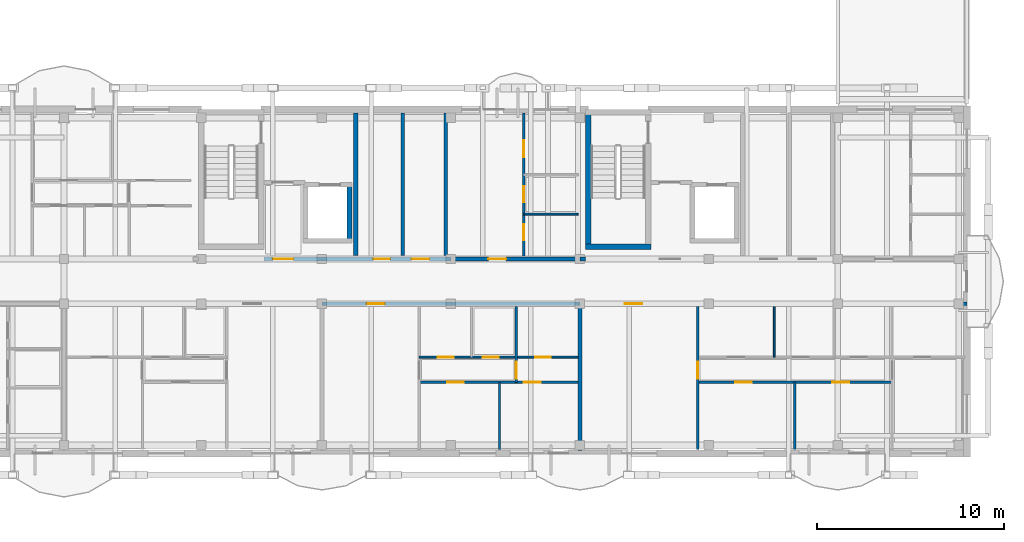
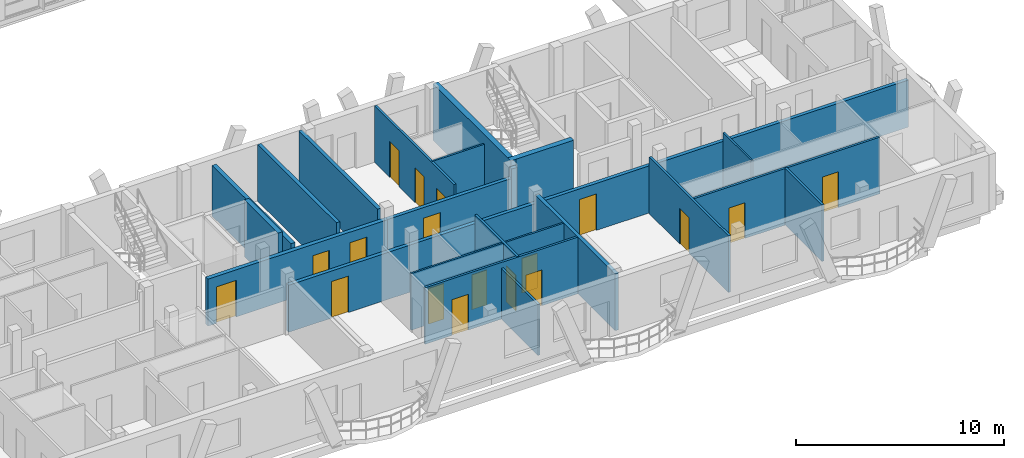
# One storey, part 160 of 189: 22 walls, 18 doors, 18 openings.
"""IFC4 building model written with IfcOpenShell, lengths in metres."""

import ifcopenshell
import ifcopenshell.guid

model = None  # the IFC model being written
_history = None  # IfcOwnerHistory: only IFC2X3 demands one
_inside = {}  # id of a spatial element -> (the spatial element, [elements in it])
_under = {}  # id of a project, library or spatial element -> (it, [spatial elements below it])
_declared = {}  # id of a project -> (the project, [libraries it declares])
_typed = {}  # id of a type object -> (the type object, [elements of that type])
_made_of = {}  # id of a material, layer set ... -> (it, [elements and type objects made of it])


def new_model(schema):
    """Start an empty IFC model of exactly this schema.

    Asked for "IFC4X3", IfcOpenShell would pick the latest addendum, in which some entities
    have other attributes; the version numbers below select the first issue.
    IFC2X3 requires an IfcOwnerHistory on every rooted entity: one is made here for all.
    """
    global model, _history
    if schema == "IFC4X3":
        model = ifcopenshell.file(schema_version=(4, 3, 0, 0))
    else:
        model = ifcopenshell.file(schema=schema)
    _inside.clear()
    _under.clear()
    _declared.clear()
    _typed.clear()
    _made_of.clear()
    _history = None
    if model.schema == "IFC2X3":
        org = make("IfcOrganization", Name="unknown")
        user = make(
            "IfcPersonAndOrganization",
            ThePerson=make("IfcPerson", FamilyName="unknown"),
            TheOrganization=org,
        )
        app = make(
            "IfcApplication",
            ApplicationDeveloper=org,
            Version="unknown",
            ApplicationFullName="unknown",
            ApplicationIdentifier="unknown",
        )
        _history = make(
            "IfcOwnerHistory",
            OwningUser=user,
            OwningApplication=app,
            ChangeAction="ADDED",
            CreationDate=0,
        )
    return model


def make(cls, **values):
    """One entity of the class cls with the attributes given. An attribute that is None is left unset."""
    return model.create_entity(
        cls, **{name: value for name, value in values.items() if value is not None}
    )


def rooted(cls, **values):
    """An entity with a GlobalId (a new one), such as an element, a storey or a relation."""
    return make(cls, GlobalId=ifcopenshell.guid.new(), OwnerHistory=_history, **values)


def si_unit(unit_type, name, prefix=None):
    """IfcSIUnit, for example si_unit("LENGTHUNIT", "METRE", prefix="MILLI")."""
    return make("IfcSIUnit", UnitType=unit_type, Prefix=prefix, Name=name)


def assignment(units):
    """IfcUnitAssignment: the units of a project."""
    return None if units is None else make("IfcUnitAssignment", Units=units)


def point(xyz):
    """IfcCartesianPoint."""
    return None if xyz is None else make("IfcCartesianPoint", Coordinates=xyz)


def direction(xyz):
    """IfcDirection."""
    return None if xyz is None else make("IfcDirection", DirectionRatios=xyz)


def frame(location, z_axis=None, x_axis=None):
    """IfcAxis2Placement3D, a coordinate frame: its origin and axes. An axis left out is left unset."""
    return make(
        "IfcAxis2Placement3D",
        Location=point(location),
        Axis=direction(z_axis),
        RefDirection=direction(x_axis),
    )


def frame_2d(location, x_axis=None):
    """IfcAxis2Placement2D, a coordinate frame in the plane: its origin and x axis."""
    return make(
        "IfcAxis2Placement2D", Location=point(location), RefDirection=direction(x_axis)
    )


def origin():
    """The frame at (0, 0, 0) with its axes left unset."""
    return frame((0.0, 0.0, 0.0))


def origin_with_axes():
    """The frame at (0, 0, 0) with the z axis (0, 0, 1) and the x axis (1, 0, 0) written out."""
    return frame((0.0, 0.0, 0.0), z_axis=(0.0, 0.0, 1.0), x_axis=(1.0, 0.0, 0.0))


def place(relative_to, where):
    """IfcLocalPlacement: puts the frame where relative to a parent placement (None: the world)."""
    return make(
        "IfcLocalPlacement", PlacementRelTo=relative_to, RelativePlacement=where
    )


def context(
    kind, dimensions, precision=None, world=None, true_north=None, identifier=None
):
    """IfcGeometricRepresentationContext, for example the 3D "Model" context."""
    return make(
        "IfcGeometricRepresentationContext",
        ContextIdentifier=identifier,
        ContextType=kind,
        CoordinateSpaceDimension=dimensions,
        Precision=precision,
        WorldCoordinateSystem=world,
        TrueNorth=true_north,
    )


def subcontext(parent, identifier, kind, view, scale=None):
    """IfcGeometricRepresentationSubContext, for example "Body" below "Model"."""
    return make(
        "IfcGeometricRepresentationSubContext",
        ContextIdentifier=identifier,
        ContextType=kind,
        ParentContext=parent,
        TargetScale=scale,
        TargetView=view,
    )


def project(units=None, contexts=None):
    """IfcProject with its units and contexts."""
    return rooted(
        "IfcProject",
        Name="project",
        RepresentationContexts=contexts,
        UnitsInContext=assignment(units),
    )


def spatial(cls, under=None, at=None, **own):
    """A site, building, storey or space (cls), placed at a placement, below another one or the project."""
    s = rooted(cls, ObjectPlacement=at, **own)
    if under is not None:
        _under.setdefault(under.id(), (under, []))[1].append(s)
    return s


def profile(cls, at=None, kind="AREA", **sizes):
    """A parametric profile (cls). Its sizes go by their IFC names, for example OverallWidth=200.0."""
    return make(cls, ProfileType=kind, Position=at, **sizes)


def rectangle(**sizes):
    """IfcRectangleProfileDef."""
    return profile("IfcRectangleProfileDef", **sizes)


def extrude(swept, where, along, depth):
    """IfcExtrudedAreaSolid: the profile swept, set in the frame where, extruded along a direction by depth."""
    return make(
        "IfcExtrudedAreaSolid",
        SweptArea=swept,
        Position=where,
        ExtrudedDirection=direction(along),
        Depth=depth,
    )


def shape(context_of_items, identifier, shape_type, items):
    """IfcShapeRepresentation: the items that make up one representation, for example the "Body"."""
    return make(
        "IfcShapeRepresentation",
        ContextOfItems=context_of_items,
        RepresentationIdentifier=identifier,
        RepresentationType=shape_type,
        Items=items,
    )


def material(Name=None, Category=None):
    """IfcMaterial."""
    return make("IfcMaterial", Name=Name, Category=Category)


def layer(
    of_material, thickness, ventilated=None, Name=None, Category=None, Priority=None
):
    """IfcMaterialLayer: one layer of a wall or slab, of a material (None: an air gap)."""
    return make(
        "IfcMaterialLayer",
        Material=of_material,
        LayerThickness=thickness,
        IsVentilated=ventilated,
        Name=Name,
        Category=Category,
        Priority=Priority,
    )


def layer_set(layers, Name=None):
    """IfcMaterialLayerSet."""
    return make("IfcMaterialLayerSet", MaterialLayers=layers, LayerSetName=Name)


def made_of(thing, what):
    """Note that an element or type object is made of a material, layer set ...; save() writes the relation."""
    if what is not None:
        _made_of.setdefault(what.id(), (what, []))[1].append(thing)
    return thing


def type_object(cls, material=None, **own):
    """A type object (cls), such as IfcWallType, which elements share."""
    return made_of(rooted(cls, **own), material)


def element(
    cls,
    number,
    at=None,
    inside=None,
    cuts=None,
    type_object=None,
    material=None,
    context=None,
    identifier="Body",
    shape_type=None,
    held_by="IfcProductDefinitionShape",
    body=None,
    shapes=None,
    **own,
):
    """One element of the class cls, such as IfcWall. Its Tag is "e" and its number.

    at: its placement. inside: the storey or other place that contains it. cuts: it is an
    opening in that element (IfcRelVoidsElement). A single representation is given by context,
    identifier, shape_type and body (its items); several are given by shapes. held_by: the class
    of the entity that holds the representations. save() writes the other relations.
    """
    e = rooted(cls, Tag="e%d" % number, ObjectPlacement=at, **own)
    if body is not None:
        shapes = [shape(context, identifier, shape_type, body)]
    if shapes is not None:
        e.Representation = make(held_by, Representations=shapes)
    if inside is not None:
        _inside.setdefault(inside.id(), (inside, []))[1].append(e)
    if cuts is not None:
        rooted(
            "IfcRelVoidsElement", RelatingBuildingElement=cuts, RelatedOpeningElement=e
        )
    if type_object is not None:
        _typed.setdefault(type_object.id(), (type_object, []))[1].append(e)
    return made_of(e, material)


def fill(opening, filler):
    """IfcRelFillsElement: the door or window that sits in an opening."""
    return rooted(
        "IfcRelFillsElement",
        RelatingOpeningElement=opening,
        RelatedBuildingElement=filler,
    )


def aggregate(whole, parts):
    """IfcRelAggregates: a whole, such as a stair, and the parts it consists of."""
    return rooted("IfcRelAggregates", RelatingObject=whole, RelatedObjects=parts)


def save(model, path):
    """Write the relations noted so far, then the file.

    IfcRelAggregates (storeys below a building ...), IfcRelContainedInSpatialStructure (elements
    in a storey), IfcRelDefinesByType, IfcRelAssociatesMaterial and IfcRelDeclares: one each for
    every whole, place, type object, material and project.
    """
    for whole, parts in _under.values():
        aggregate(whole, parts)
    for where, things in _inside.values():
        rooted(
            "IfcRelContainedInSpatialStructure",
            RelatedElements=things,
            RelatingStructure=where,
        )
    for kind, things in _typed.values():
        rooted("IfcRelDefinesByType", RelatedObjects=things, RelatingType=kind)
    for what, things in _made_of.values():
        rooted("IfcRelAssociatesMaterial", RelatedObjects=things, RelatingMaterial=what)
    for by, libraries in _declared.values():
        rooted("IfcRelDeclares", RelatingContext=by, RelatedDefinitions=libraries)
    model.write(path)


model = new_model("IFC4")

# Units and contexts
model_context = context("Model", 3, precision=1e-05, world=origin(), true_north=direction((0.0, 1.0)))
body_context = subcontext(model_context, "Body", "Model", "MODEL_VIEW")
ifc_project = project(units=[si_unit("LENGTHUNIT", "METRE"), si_unit("AREAUNIT", "SQUARE_METRE"), si_unit("VOLUMEUNIT", "CUBIC_METRE"), si_unit("PLANEANGLEUNIT", "RADIAN"), si_unit("MASSUNIT", "GRAM", prefix="KILO")], contexts=[model_context])

# Site, building, storey
site_placement = place(None, origin())
site = spatial("IfcSite", under=ifc_project, at=site_placement, CompositionType="ELEMENT")
building_placement = place(site_placement, origin())
building = spatial("IfcBuilding", under=site, at=building_placement, Name="Zavelmont Quarter", CompositionType="ELEMENT")
storey_placement = place(building_placement, frame((0.0, 0.0, 4.39990234375)))
storey = spatial("IfcBuildingStorey", under=building, at=storey_placement, Name="L01", CompositionType="ELEMENT", Elevation=4.39990234375)

# Walls
ifc_material_1 = material(Name="Calcium-silicate blockwork and acoustic plaster", Category="masonry")
ifc_layer_1 = layer(ifc_material_1, 0.199951171875)
ifc_layer_set_1 = layer_set([ifc_layer_1], Name="Calcium-silicate blockwork and acoustic plaster")
wall_type_1 = type_object("IfcWallType", Name="IW01", PredefinedType="PARTITIONING", material=ifc_layer_set_1)
for number, where, z_axis, x_axis, name in (
    (1, (137.824951171875, 10.60009765625, 0.0), (0.0, 0.0, 1.0), (0.0, 1.0, 0.0), "L01 Service riser divider wall IW01"),
    (2, (140.1201171875, 10.60009765625, 0.0), (0.0, 0.0, 1.0), (0.0, 1.0, 0.0), "L01 Core service end wall IW01"),
):
    element("IfcWall", number, at=place(storey_placement, frame(where, z_axis=z_axis, x_axis=x_axis)), inside=storey, type_object=wall_type_1, Name=name, PredefinedType="PARTITIONING", context=body_context, shape_type="SweptSolid", body=[
        extrude(rectangle(XDim=7.599853515625, YDim=0.199951171875, at=frame_2d((3.7998046875, 0.0))), origin(), (0.0, 0.0, 1.0), 3.330078125),
    ])
wall_1_placement = place(storey_placement, frame((147.300048828125, 7.85009765625, 0.0), z_axis=(0.0, 0.0, 1.0), x_axis=(0.0, -1.0, 0.0)))
element("IfcWall", 3, at=wall_1_placement, inside=storey, type_object=wall_type_1, Name="L01 Inter-dwelling compartment wall IW01", PredefinedType="PARTITIONING", context=body_context, shape_type="SweptSolid", body=[
    extrude(rectangle(XDim=7.7001953125, YDim=0.199951171875, at=frame_2d((3.85009765625, 0.0))), origin(), (0.0, 0.0, 1.0), 3.330078125),
])

# Wall, opening, door
wall_2_placement = place(storey_placement, frame((133.5, 8.0, 0.0), z_axis=(0.0, 0.0, 1.0), x_axis=(1.0, 0.0, 0.0)))
wall_2 = element("IfcWall", 4, at=wall_2_placement, inside=storey, type_object=wall_type_1, Name="L01 Corridor compartment wall IW01", PredefinedType="PARTITIONING", context=body_context, shape_type="SweptSolid", body=[
    extrude(rectangle(XDim=13.800048828125, YDim=0.199951171875, at=frame_2d((6.89990234375, 0.0))), origin(), (0.0, 0.0, 1.0), 2.77001953125),
])
opening_1_placement = place(wall_2_placement, frame((2.39990234375, 0.0, 0.0)))
opening_1 = element("IfcOpeningElement", 5, at=opening_1_placement, cuts=wall_2, Name="Opening DR02", PredefinedType="OPENING", context=body_context, shape_type="SweptSolid", body=[
    extrude(rectangle(XDim=0.949951171875, YDim=2.14990234375, at=frame_2d((0.47509765625, 1.074951171875))), frame((0.0, 0.11181640625, 0.0), z_axis=(0.0, -1.0, 0.0), x_axis=(1.0, 0.0, 0.0)), (0.0, 0.0, 1.0), 0.223876953125),
])
ifc_material_2 = material(Name="Solid-core oak fire leaf in steel frame", Category="steel")
door_type_1 = type_object("IfcDoorType", Name="DR02", OperationType="NOTDEFINED", PredefinedType="DOOR", material=ifc_material_2)
door_1_placement = place(opening_1_placement, frame((0.949951171875, 0.0, 0.0), z_axis=(0.0, 0.0, 1.0), x_axis=(-1.0, 0.0, 0.0)))
door_1 = element("IfcDoor", 6, at=door_1_placement, inside=storey, type_object=door_type_1, Name="L01 door DR02", OperationType="SINGLE_SWING_RIGHT", OverallHeight=2.14990234375, OverallWidth=0.949951171875, PredefinedType="DOOR", context=body_context, shape_type="SweptSolid", body=[
    extrude(rectangle(XDim=0.949951171875, YDim=2.14990234375, at=frame_2d((0.47509765625, 1.074951171875))), frame((0.0, 0.02490234375, 0.0), z_axis=(0.0, -1.0, 0.0), x_axis=(1.0, 0.0, 0.0)), (0.0, 0.0, 1.0), 0.050048828125),
])
fill(opening_1, door_1)

wall_3_placement = place(storey_placement, frame((147.300048828125, 8.0, 0.0), z_axis=(0.0, 0.0, 1.0), x_axis=(1.0, 0.0, 0.0)))
wall_3 = element("IfcWall", 7, at=wall_3_placement, inside=storey, type_object=wall_type_1, Name="L01 Corridor compartment wall IW01", PredefinedType="PARTITIONING", context=body_context, shape_type="SweptSolid", body=[
    extrude(rectangle(XDim=20.699951171875, YDim=0.199951171875, at=frame_2d((10.35009765625, 0.0))), origin(), (0.0, 0.0, 1.0), 2.77001953125),
])
opening_2_placement = place(wall_3_placement, frame((2.39990234375, 0.0, 0.0)))
opening_2 = element("IfcOpeningElement", 8, at=opening_2_placement, cuts=wall_3, Name="Opening DR02", PredefinedType="OPENING", context=body_context, shape_type="SweptSolid", body=[
    extrude(rectangle(XDim=0.949951171875, YDim=2.14990234375, at=frame_2d((0.47509765625, 1.074951171875))), frame((0.0, 0.11181640625, 0.0), z_axis=(0.0, -1.0, 0.0), x_axis=(1.0, 0.0, 0.0)), (0.0, 0.0, 1.0), 0.223876953125),
])
door_2_placement = place(opening_2_placement, frame((0.949951171875, 0.0, 0.0), z_axis=(0.0, 0.0, 1.0), x_axis=(-1.0, 0.0, 0.0)))
door_2 = element("IfcDoor", 9, at=door_2_placement, inside=storey, type_object=door_type_1, Name="L01 door DR02", OperationType="SINGLE_SWING_LEFT", OverallHeight=2.14990234375, OverallWidth=0.949951171875, PredefinedType="DOOR", context=body_context, shape_type="SweptSolid", body=[
    extrude(rectangle(XDim=0.949951171875, YDim=2.14990234375, at=frame_2d((0.47509765625, 1.074951171875))), frame((0.0, 0.02490234375, 0.0), z_axis=(0.0, -1.0, 0.0), x_axis=(1.0, 0.0, 0.0)), (0.0, 0.0, 1.0), 0.050048828125),
])
fill(opening_2, door_2)

wall_4_placement = place(storey_placement, frame((140.39990234375, 10.39990234375, 0.0), z_axis=(0.0, 0.0, 1.0), x_axis=(1.0, 0.0, 0.0)))
wall_4 = element("IfcWall", 10, at=wall_4_placement, inside=storey, type_object=wall_type_1, Name="L01 Corridor compartment wall IW01", PredefinedType="PARTITIONING", context=body_context, shape_type="SweptSolid", body=[
    extrude(rectangle(XDim=6.900146484375, YDim=0.199951171875, at=frame_2d((3.4501953125, 0.0))), origin(), (0.0, 0.0, 1.0), 2.77001953125),
])
opening_3_placement = place(wall_4_placement, frame((2.0, 0.0, 0.0)))
opening_3 = element("IfcOpeningElement", 11, at=opening_3_placement, cuts=wall_4, Name="Opening DR02", PredefinedType="OPENING", context=body_context, shape_type="SweptSolid", body=[
    extrude(rectangle(XDim=0.949951171875, YDim=2.14990234375, at=frame_2d((0.47509765625, 1.074951171875))), frame((0.0, 0.11181640625, 0.0), z_axis=(0.0, -1.0, 0.0), x_axis=(1.0, 0.0, 0.0)), (0.0, 0.0, 1.0), 0.223876953125),
])
door_3_placement = place(opening_3_placement, origin_with_axes())
door_3 = element("IfcDoor", 12, at=door_3_placement, inside=storey, type_object=door_type_1, Name="L01 door DR02", OperationType="SINGLE_SWING_LEFT", OverallHeight=2.14990234375, OverallWidth=0.949951171875, PredefinedType="DOOR", context=body_context, shape_type="SweptSolid", body=[
    extrude(rectangle(XDim=0.949951171875, YDim=2.14990234375, at=frame_2d((0.47509765625, 1.074951171875))), frame((0.0, 0.02490234375, 0.0), z_axis=(0.0, -1.0, 0.0), x_axis=(1.0, 0.0, 0.0)), (0.0, 0.0, 1.0), 0.050048828125),
])
fill(opening_3, door_3)

# Wall
ifc_material_3 = material(Name="Reinforced masonry fire compartment wall", Category="masonry")
ifc_layer_2 = layer(ifc_material_3, 0.22509765625)
ifc_layer_set_2 = layer_set([ifc_layer_2], Name="Reinforced masonry fire compartment wall")
wall_type_2 = type_object("IfcWallType", Name="IW02", PredefinedType="PARTITIONING", material=ifc_layer_set_2)
wall_5_placement = place(storey_placement, frame((135.31005859375, 10.60009765625, 0.0), z_axis=(0.0, 0.0, 1.0), x_axis=(0.0, 1.0, 0.0)))
element("IfcWall", 13, at=wall_5_placement, inside=storey, type_object=wall_type_2, Name="L01 Firefighting lobby enclosure wall IW02", PredefinedType="PARTITIONING", context=body_context, shape_type="SweptSolid", body=[
    extrude(rectangle(XDim=7.599853515625, YDim=0.22509765625, at=frame_2d((3.7998046875, 0.0))), origin(), (0.0, 0.0, 1.0), 2.989990234375),
])

# Wall, openings, doors
wall_6_placement = place(storey_placement, frame((130.39990234375, 10.39990234375, 0.0), z_axis=(0.0, 0.0, 1.0), x_axis=(1.0, 0.0, 0.0)))
wall_6 = element("IfcWall", 14, at=wall_6_placement, inside=storey, type_object=wall_type_2, Name="L01 Core corridor fire wall IW02", PredefinedType="PARTITIONING", context=body_context, shape_type="SweptSolid", body=[
    extrude(rectangle(XDim=10.0, YDim=0.22509765625, at=frame_2d((5.0, 0.0))), origin(), (0.0, 0.0, 1.0), 2.77001953125),
])
opening_4_placement = place(wall_6_placement, frame((0.47509765625, 0.0, 0.0)))
opening_4 = element("IfcOpeningElement", 15, at=opening_4_placement, cuts=wall_6, Name="Opening DR10", PredefinedType="OPENING", context=body_context, shape_type="SweptSolid", body=[
    extrude(rectangle(XDim=1.10009765625, YDim=2.14990234375, at=frame_2d((0.550048828125, 1.074951171875))), frame((0.0, 0.12451171875, 0.0), z_axis=(0.0, -1.0, 0.0), x_axis=(1.0, 0.0, 0.0)), (0.0, 0.0, 1.0), 0.2490234375),
])
opening_5_placement = place(wall_6_placement, frame((5.85009765625, 0.0, 0.0)))
opening_5 = element("IfcOpeningElement", 16, at=opening_5_placement, cuts=wall_6, Name="Opening DR11", PredefinedType="OPENING", context=body_context, shape_type="SweptSolid", body=[
    extrude(rectangle(XDim=0.89990234375, YDim=2.10009765625, at=frame_2d((0.449951171875, 1.050048828125))), frame((0.0, 0.12451171875, 0.0), z_axis=(0.0, -1.0, 0.0), x_axis=(1.0, 0.0, 0.0)), (0.0, 0.0, 1.0), 0.2490234375),
])
opening_6_placement = place(wall_6_placement, frame((7.89990234375, 0.0, 0.0)))
opening_6 = element("IfcOpeningElement", 17, at=opening_6_placement, cuts=wall_6, Name="Opening DR02", PredefinedType="OPENING", context=body_context, shape_type="SweptSolid", body=[
    extrude(rectangle(XDim=0.949951171875, YDim=2.14990234375, at=frame_2d((0.47509765625, 1.074951171875))), frame((0.0, 0.12451171875, 0.0), z_axis=(0.0, -1.0, 0.0), x_axis=(1.0, 0.0, 0.0)), (0.0, 0.0, 1.0), 0.2490234375),
])
door_4_placement = place(opening_6_placement, frame((0.949951171875, 0.0, 0.0), z_axis=(0.0, 0.0, 1.0), x_axis=(-1.0, 0.0, 0.0)))
door_4 = element("IfcDoor", 18, at=door_4_placement, inside=storey, type_object=door_type_1, Name="Auxiliary store corridor door", OperationType="SINGLE_SWING_RIGHT", OverallHeight=2.14990234375, OverallWidth=0.949951171875, PredefinedType="DOOR", context=body_context, shape_type="SweptSolid", body=[
    extrude(rectangle(XDim=0.949951171875, YDim=2.14990234375, at=frame_2d((0.47509765625, 1.074951171875))), frame((0.0, 0.02490234375, 0.0), z_axis=(0.0, -1.0, 0.0), x_axis=(1.0, 0.0, 0.0)), (0.0, 0.0, 1.0), 0.050048828125),
])
fill(opening_6, door_4)
ifc_material_4 = material(Name="Painted steel lobby fire door", Category="steel")
door_type_2 = type_object("IfcDoorType", Name="DR10", OperationType="NOTDEFINED", PredefinedType="DOOR", material=ifc_material_4)
door_5_placement = place(opening_4_placement, origin_with_axes())
door_5 = element("IfcDoor", 19, at=door_5_placement, inside=storey, type_object=door_type_2, Name="Core vestibule fire door", OperationType="SINGLE_SWING_RIGHT", OverallHeight=2.14990234375, OverallWidth=1.10009765625, PredefinedType="DOOR", context=body_context, shape_type="SweptSolid", body=[
    extrude(rectangle(XDim=1.10009765625, YDim=2.14990234375, at=frame_2d((0.550048828125, 1.074951171875))), frame((0.0, 0.02490234375, 0.0), z_axis=(0.0, -1.0, 0.0), x_axis=(1.0, 0.0, 0.0)), (0.0, 0.0, 1.0), 0.050048828125),
])
fill(opening_4, door_5)
ifc_material_5 = material(Name="Painted steel service-riser fire door", Category="steel")
door_type_3 = type_object("IfcDoorType", Name="DR11", OperationType="NOTDEFINED", PredefinedType="DOOR", material=ifc_material_5)
door_6_placement = place(opening_5_placement, frame((0.89990234375, 0.0, 0.0), z_axis=(0.0, 0.0, 1.0), x_axis=(-1.0, 0.0, 0.0)))
door_6 = element("IfcDoor", 20, at=door_6_placement, inside=storey, type_object=door_type_3, Name="Service riser fire door", OperationType="SINGLE_SWING_LEFT", OverallHeight=2.10009765625, OverallWidth=0.89990234375, PredefinedType="DOOR", context=body_context, shape_type="SweptSolid", body=[
    extrude(rectangle(XDim=0.89990234375, YDim=2.10009765625, at=frame_2d((0.449951171875, 1.050048828125))), frame((0.0, 0.02490234375, 0.0), z_axis=(0.0, -1.0, 0.0), x_axis=(1.0, 0.0, 0.0)), (0.0, 0.0, 1.0), 0.050048828125),
])
fill(opening_5, door_6)

# Wall
wall_7_placement = place(storey_placement, frame((147.300048828125, 10.39990234375, 0.0), z_axis=(0.0, 0.0, 1.0), x_axis=(1.0, 0.0, 0.0)))
element("IfcWall", 21, at=wall_7_placement, inside=storey, type_object=wall_type_2, Name="L01 Core corridor wall IW02", PredefinedType="PARTITIONING", context=body_context, shape_type="SweptSolid", body=[
    extrude(rectangle(XDim=0.300048828125, YDim=0.22509765625, at=frame_2d((0.14990234375, 0.0))), origin(), (0.0, 0.0, 1.0), 3.330078125),
])

# Wall, opening, door
ifc_material_6 = material(Name="Double gypsum board on acoustic steel stud", Category="steel")
ifc_layer_3 = layer(ifc_material_6, 0.125)
ifc_layer_set_3 = layer_set([ifc_layer_3], Name="Double gypsum board on acoustic steel stud")
wall_type_3 = type_object("IfcWallType", Name="IW03", PredefinedType="PARTITIONING", material=ifc_layer_set_3)
wall_8_placement = place(storey_placement, frame((143.89990234375, 7.85009765625, 0.0), z_axis=(0.0, 0.0, 1.0), x_axis=(0.0, -1.0, 0.0)))
wall_8 = element("IfcWall", 22, at=wall_8_placement, inside=storey, type_object=wall_type_3, Name="L01 Partition IW03", PredefinedType="PARTITIONING", context=body_context, shape_type="SweptSolid", body=[
    extrude(rectangle(XDim=4.050048828125, YDim=0.125, at=frame_2d((2.02490234375, 0.0))), origin(), (0.0, 0.0, 1.0), 3.330078125),
])
opening_7_placement = place(wall_8_placement, frame((2.949951171875, 0.0, 0.0)))
opening_7 = element("IfcOpeningElement", 23, at=opening_7_placement, cuts=wall_8, Name="Opening DR05", PredefinedType="OPENING", context=body_context, shape_type="SweptSolid", body=[
    extrude(rectangle(XDim=0.89990234375, YDim=2.10009765625, at=frame_2d((0.449951171875, 1.050048828125))), frame((0.0, 0.074462890625, 0.0), z_axis=(0.0, -1.0, 0.0), x_axis=(1.0, 0.0, 0.0)), (0.0, 0.0, 1.0), 0.14892578125),
])
ifc_material_7 = material(Name="Engineered oak flush interior door")
door_type_4 = type_object("IfcDoorType", Name="DR05", OperationType="NOTDEFINED", PredefinedType="DOOR", material=ifc_material_7)
door_7_placement = place(opening_7_placement, frame((0.89990234375, 0.0, 0.0), z_axis=(0.0, 0.0, 1.0), x_axis=(-1.0, 0.0, 0.0)))
door_7 = element("IfcDoor", 24, at=door_7_placement, inside=storey, type_object=door_type_4, Name="L01 door DR05", OperationType="SINGLE_SWING_LEFT", OverallHeight=2.10009765625, OverallWidth=0.89990234375, PredefinedType="DOOR", context=body_context, shape_type="SweptSolid", body=[
    extrude(rectangle(XDim=0.89990234375, YDim=2.10009765625, at=frame_2d((0.449951171875, 1.050048828125))), frame((0.0, 0.02490234375, 0.0), z_axis=(0.0, -1.0, 0.0), x_axis=(1.0, 0.0, 0.0)), (0.0, 0.0, 1.0), 0.050048828125),
])
fill(opening_7, door_7)

# Wall
wall_9_placement = place(storey_placement, frame((143.0, 3.800048828125, 0.0), z_axis=(0.0, 0.0, 1.0), x_axis=(0.0, -1.0, 0.0)))
element("IfcWall", 25, at=wall_9_placement, inside=storey, type_object=wall_type_3, Name="L01 Partition IW03", PredefinedType="PARTITIONING", context=body_context, shape_type="SweptSolid", body=[
    extrude(rectangle(XDim=3.60009765625, YDim=0.125, at=frame_2d((1.800048828125, 0.0))), origin(), (0.0, 0.0, 1.0), 2.989990234375),
])

# Wall, openings, doors
wall_10_placement = place(storey_placement, frame((138.699951171875, 3.800048828125, 0.0), z_axis=(0.0, 0.0, 1.0), x_axis=(1.0, 0.0, 0.0)))
wall_10 = element("IfcWall", 26, at=wall_10_placement, inside=storey, type_object=wall_type_3, Name="L01 Partition IW03", PredefinedType="PARTITIONING", context=body_context, shape_type="SweptSolid", body=[
    extrude(rectangle(XDim=8.5, YDim=0.125, at=frame_2d((4.25, 0.0))), origin(), (0.0, 0.0, 1.0), 3.330078125),
])
opening_8_placement = place(wall_10_placement, frame((1.5, 0.0, 0.0)))
opening_8 = element("IfcOpeningElement", 27, at=opening_8_placement, cuts=wall_10, Name="Opening DR05", PredefinedType="OPENING", context=body_context, shape_type="SweptSolid", body=[
    extrude(rectangle(XDim=0.89990234375, YDim=2.10009765625, at=frame_2d((0.449951171875, 1.050048828125))), frame((0.0, 0.074462890625, 0.0), z_axis=(0.0, -1.0, 0.0), x_axis=(1.0, 0.0, 0.0)), (0.0, 0.0, 1.0), 0.14892578125),
])
opening_9_placement = place(wall_10_placement, frame((5.60009765625, 0.0, 0.0)))
opening_9 = element("IfcOpeningElement", 28, at=opening_9_placement, cuts=wall_10, Name="Opening DR05", PredefinedType="OPENING", context=body_context, shape_type="SweptSolid", body=[
    extrude(rectangle(XDim=0.89990234375, YDim=2.10009765625, at=frame_2d((0.449951171875, 1.050048828125))), frame((0.0, 0.074462890625, 0.0), z_axis=(0.0, -1.0, 0.0), x_axis=(1.0, 0.0, 0.0)), (0.0, 0.0, 1.0), 0.14892578125),
])
door_8_placement = place(opening_8_placement, frame((0.89990234375, 0.0, 0.0), z_axis=(0.0, 0.0, 1.0), x_axis=(-1.0, 0.0, 0.0)))
door_8 = element("IfcDoor", 29, at=door_8_placement, inside=storey, type_object=door_type_4, Name="L01 door DR05", OperationType="SINGLE_SWING_LEFT", OverallHeight=2.10009765625, OverallWidth=0.89990234375, PredefinedType="DOOR", context=body_context, shape_type="SweptSolid", body=[
    extrude(rectangle(XDim=0.89990234375, YDim=2.10009765625, at=frame_2d((0.449951171875, 1.050048828125))), frame((0.0, 0.02490234375, 0.0), z_axis=(0.0, -1.0, 0.0), x_axis=(1.0, 0.0, 0.0)), (0.0, 0.0, 1.0), 0.050048828125),
])
fill(opening_8, door_8)
door_9_placement = place(opening_9_placement, origin_with_axes())
door_9 = element("IfcDoor", 30, at=door_9_placement, inside=storey, type_object=door_type_4, Name="L01 door DR05", OperationType="SINGLE_SWING_RIGHT", OverallHeight=2.10009765625, OverallWidth=0.89990234375, PredefinedType="DOOR", context=body_context, shape_type="SweptSolid", body=[
    extrude(rectangle(XDim=0.89990234375, YDim=2.10009765625, at=frame_2d((0.449951171875, 1.050048828125))), frame((0.0, 0.02490234375, 0.0), z_axis=(0.0, -1.0, 0.0), x_axis=(1.0, 0.0, 0.0)), (0.0, 0.0, 1.0), 0.050048828125),
])
fill(opening_9, door_9)

# Wall, opening, door
wall_11_placement = place(storey_placement, frame((153.60009765625, 7.85009765625, 0.0), z_axis=(0.0, 0.0, 1.0), x_axis=(0.0, -1.0, 0.0)))
wall_11 = element("IfcWall", 31, at=wall_11_placement, inside=storey, type_object=wall_type_3, Name="L01 Partition IW03", PredefinedType="PARTITIONING", context=body_context, shape_type="SweptSolid", body=[
    extrude(rectangle(XDim=7.650146484375, YDim=0.125, at=frame_2d((3.8251953125, 0.0))), origin(), (0.0, 0.0, 1.0), 3.330078125),
])
opening_10_placement = place(wall_11_placement, frame((2.949951171875, 0.0, 0.0)))
opening_10 = element("IfcOpeningElement", 32, at=opening_10_placement, cuts=wall_11, Name="Opening DR05", PredefinedType="OPENING", context=body_context, shape_type="SweptSolid", body=[
    extrude(rectangle(XDim=0.89990234375, YDim=2.10009765625, at=frame_2d((0.449951171875, 1.050048828125))), frame((0.0, 0.074462890625, 0.0), z_axis=(0.0, -1.0, 0.0), x_axis=(1.0, 0.0, 0.0)), (0.0, 0.0, 1.0), 0.14892578125),
])
door_10_placement = place(opening_10_placement, origin_with_axes())
door_10 = element("IfcDoor", 33, at=door_10_placement, inside=storey, type_object=door_type_4, Name="L01 door DR05", OperationType="SINGLE_SWING_LEFT", OverallHeight=2.10009765625, OverallWidth=0.89990234375, PredefinedType="DOOR", context=body_context, shape_type="SweptSolid", body=[
    extrude(rectangle(XDim=0.89990234375, YDim=2.10009765625, at=frame_2d((0.449951171875, 1.050048828125))), frame((0.0, 0.02490234375, 0.0), z_axis=(0.0, -1.0, 0.0), x_axis=(1.0, 0.0, 0.0)), (0.0, 0.0, 1.0), 0.050048828125),
])
fill(opening_10, door_10)

# Wall
wall_12_placement = place(storey_placement, frame((158.800048828125, 3.800048828125, 0.0), z_axis=(0.0, 0.0, 1.0), x_axis=(0.0, -1.0, 0.0)))
element("IfcWall", 34, at=wall_12_placement, inside=storey, type_object=wall_type_3, Name="L01 Partition IW03", PredefinedType="PARTITIONING", context=body_context, shape_type="SweptSolid", body=[
    extrude(rectangle(XDim=3.60009765625, YDim=0.125, at=frame_2d((1.800048828125, 0.0))), origin(), (0.0, 0.0, 1.0), 3.330078125),
])

# Wall, openings, doors
wall_13_placement = place(storey_placement, frame((153.60009765625, 3.800048828125, 0.0), z_axis=(0.0, 0.0, 1.0), x_axis=(1.0, 0.0, 0.0)))
wall_13 = element("IfcWall", 35, at=wall_13_placement, inside=storey, type_object=wall_type_3, Name="L01 Partition IW03", PredefinedType="PARTITIONING", context=body_context, shape_type="SweptSolid", body=[
    extrude(rectangle(XDim=10.39990234375, YDim=0.125, at=frame_2d((5.199951171875, 0.0))), origin(), (0.0, 0.0, 1.0), 3.330078125),
])
opening_11_placement = place(wall_13_placement, frame((2.0, 0.0, 0.0)))
opening_11 = element("IfcOpeningElement", 36, at=opening_11_placement, cuts=wall_13, Name="Opening DR05", PredefinedType="OPENING", context=body_context, shape_type="SweptSolid", body=[
    extrude(rectangle(XDim=0.89990234375, YDim=2.10009765625, at=frame_2d((0.449951171875, 1.050048828125))), frame((0.0, 0.074462890625, 0.0), z_axis=(0.0, -1.0, 0.0), x_axis=(1.0, 0.0, 0.0)), (0.0, 0.0, 1.0), 0.14892578125),
])
opening_12_placement = place(wall_13_placement, frame((7.199951171875, 0.0, 0.0)))
opening_12 = element("IfcOpeningElement", 37, at=opening_12_placement, cuts=wall_13, Name="Opening DR05", PredefinedType="OPENING", context=body_context, shape_type="SweptSolid", body=[
    extrude(rectangle(XDim=0.89990234375, YDim=2.10009765625, at=frame_2d((0.449951171875, 1.050048828125))), frame((0.0, 0.074462890625, 0.0), z_axis=(0.0, -1.0, 0.0), x_axis=(1.0, 0.0, 0.0)), (0.0, 0.0, 1.0), 0.14892578125),
])
door_11_placement = place(opening_11_placement, origin_with_axes())
door_11 = element("IfcDoor", 38, at=door_11_placement, inside=storey, type_object=door_type_4, Name="L01 door DR05", OperationType="SINGLE_SWING_LEFT", OverallHeight=2.10009765625, OverallWidth=0.89990234375, PredefinedType="DOOR", context=body_context, shape_type="SweptSolid", body=[
    extrude(rectangle(XDim=0.89990234375, YDim=2.10009765625, at=frame_2d((0.449951171875, 1.050048828125))), frame((0.0, 0.02490234375, 0.0), z_axis=(0.0, -1.0, 0.0), x_axis=(1.0, 0.0, 0.0)), (0.0, 0.0, 1.0), 0.050048828125),
])
fill(opening_11, door_11)
door_12_placement = place(opening_12_placement, frame((0.89990234375, 0.0, 0.0), z_axis=(0.0, 0.0, 1.0), x_axis=(-1.0, 0.0, 0.0)))
door_12 = element("IfcDoor", 39, at=door_12_placement, inside=storey, type_object=door_type_4, Name="L01 door DR05", OperationType="SINGLE_SWING_RIGHT", OverallHeight=2.10009765625, OverallWidth=0.89990234375, PredefinedType="DOOR", context=body_context, shape_type="SweptSolid", body=[
    extrude(rectangle(XDim=0.89990234375, YDim=2.10009765625, at=frame_2d((0.449951171875, 1.050048828125))), frame((0.0, 0.02490234375, 0.0), z_axis=(0.0, -1.0, 0.0), x_axis=(1.0, 0.0, 0.0)), (0.0, 0.0, 1.0), 0.050048828125),
])
fill(opening_12, door_12)

wall_14_placement = place(storey_placement, frame((144.300048828125, 10.550048828125, 0.0), z_axis=(0.0, 0.0, 1.0), x_axis=(0.0, 1.0, 0.0)))
wall_14 = element("IfcWall", 40, at=wall_14_placement, inside=storey, type_object=wall_type_3, Name="L01 Partition IW03", PredefinedType="PARTITIONING", context=body_context, shape_type="SweptSolid", body=[
    extrude(rectangle(XDim=7.64990234375, YDim=0.125, at=frame_2d((3.824951171875, 0.0))), origin(), (0.0, 0.0, 1.0), 3.330078125),
])
opening_13_placement = place(wall_14_placement, frame((0.85009765625, 0.0, 0.0)))
opening_13 = element("IfcOpeningElement", 41, at=opening_13_placement, cuts=wall_14, Name="Opening DR16", PredefinedType="OPENING", context=body_context, shape_type="SweptSolid", body=[
    extrude(rectangle(XDim=0.85009765625, YDim=2.10009765625, at=frame_2d((0.425048828125, 1.050048828125))), frame((0.0, 0.074462890625, 0.0), z_axis=(0.0, -1.0, 0.0), x_axis=(1.0, 0.0, 0.0)), (0.0, 0.0, 1.0), 0.14892578125),
])
opening_14_placement = place(wall_14_placement, frame((2.89990234375, 0.0, 0.0)))
opening_14 = element("IfcOpeningElement", 42, at=opening_14_placement, cuts=wall_14, Name="Opening DR06", PredefinedType="OPENING", context=body_context, shape_type="SweptSolid", body=[
    extrude(rectangle(XDim=0.85009765625, YDim=2.050048828125, at=frame_2d((0.425048828125, 1.02490234375))), frame((0.0, 0.074462890625, 0.0), z_axis=(0.0, -1.0, 0.0), x_axis=(1.0, 0.0, 0.0)), (0.0, 0.0, 1.0), 0.14892578125),
])
opening_15_placement = place(wall_14_placement, frame((5.300048828125, 0.0, 0.0)))
opening_15 = element("IfcOpeningElement", 43, at=opening_15_placement, cuts=wall_14, Name="Opening DR05", PredefinedType="OPENING", context=body_context, shape_type="SweptSolid", body=[
    extrude(rectangle(XDim=0.89990234375, YDim=2.10009765625, at=frame_2d((0.449951171875, 1.050048828125))), frame((0.0, 0.074462890625, 0.0), z_axis=(0.0, -1.0, 0.0), x_axis=(1.0, 0.0, 0.0)), (0.0, 0.0, 1.0), 0.14892578125),
])
door_13_placement = place(opening_15_placement, frame((0.89990234375, 0.0, 0.0), z_axis=(0.0, 0.0, 1.0), x_axis=(-1.0, 0.0, 0.0)))
door_13 = element("IfcDoor", 44, at=door_13_placement, inside=storey, type_object=door_type_4, Name="L01 door DR05", OperationType="SINGLE_SWING_LEFT", OverallHeight=2.10009765625, OverallWidth=0.89990234375, PredefinedType="DOOR", context=body_context, shape_type="SweptSolid", body=[
    extrude(rectangle(XDim=0.89990234375, YDim=2.10009765625, at=frame_2d((0.449951171875, 1.050048828125))), frame((0.0, 0.02490234375, 0.0), z_axis=(0.0, -1.0, 0.0), x_axis=(1.0, 0.0, 0.0)), (0.0, 0.0, 1.0), 0.050048828125),
])
fill(opening_15, door_13)
ifc_material_8 = material(Name="Moisture-resistant painted wet-room door")
door_type_5 = type_object("IfcDoorType", Name="DR06", OperationType="NOTDEFINED", PredefinedType="DOOR", material=ifc_material_8)
door_14_placement = place(opening_14_placement, origin_with_axes())
door_14 = element("IfcDoor", 45, at=door_14_placement, inside=storey, type_object=door_type_5, Name="L01 door DR06", OperationType="SINGLE_SWING_RIGHT", OverallHeight=2.050048828125, OverallWidth=0.85009765625, PredefinedType="DOOR", context=body_context, shape_type="SweptSolid", body=[
    extrude(rectangle(XDim=0.85009765625, YDim=2.050048828125, at=frame_2d((0.425048828125, 1.02490234375))), frame((0.0, 0.02490234375, 0.0), z_axis=(0.0, -1.0, 0.0), x_axis=(1.0, 0.0, 0.0)), (0.0, 0.0, 1.0), 0.050048828125),
])
fill(opening_14, door_14)
door_type_6 = type_object("IfcDoorType", Name="DR16", OperationType="NOTDEFINED", PredefinedType="DOOR", material=ifc_material_7)
door_15_placement = place(opening_13_placement, frame((0.85009765625, 0.0, 0.0), z_axis=(0.0, 0.0, 1.0), x_axis=(-1.0, 0.0, 0.0)))
door_15 = element("IfcDoor", 46, at=door_15_placement, inside=storey, type_object=door_type_6, Name="L01 door DR16", OperationType="SINGLE_SWING_LEFT", OverallHeight=2.10009765625, OverallWidth=0.85009765625, PredefinedType="DOOR", context=body_context, shape_type="SweptSolid", body=[
    extrude(rectangle(XDim=0.85009765625, YDim=2.10009765625, at=frame_2d((0.425048828125, 1.050048828125))), frame((0.0, 0.02490234375, 0.0), z_axis=(0.0, -1.0, 0.0), x_axis=(1.0, 0.0, 0.0)), (0.0, 0.0, 1.0), 0.050048828125),
])
fill(opening_13, door_15)

ifc_material_9 = material(Name="Moisture-resistant gypsum board on steel stud", Category="steel")
ifc_layer_4 = layer(ifc_material_9, 0.10009765625)
ifc_layer_set_4 = layer_set([ifc_layer_4], Name="Moisture-resistant gypsum board on steel stud")
wall_type_4 = type_object("IfcWallType", Name="IW04", PredefinedType="PARTITIONING", material=ifc_layer_set_4)
wall_15_placement = place(storey_placement, frame((138.699951171875, 5.14990234375, 0.0), z_axis=(0.0, 0.0, 1.0), x_axis=(1.0, 0.0, 0.0)))
wall_15 = element("IfcWall", 47, at=wall_15_placement, inside=storey, type_object=wall_type_4, Name="L01 Partition IW04", PredefinedType="PARTITIONING", context=body_context, shape_type="SweptSolid", body=[
    extrude(rectangle(XDim=8.5, YDim=0.10009765625, at=frame_2d((4.25, 0.0))), origin(), (0.0, 0.0, 1.0), 3.330078125),
])
opening_16_placement = place(wall_15_placement, frame((1.0, 0.0, 0.0)))
opening_16 = element("IfcOpeningElement", 48, at=opening_16_placement, cuts=wall_15, Name="Opening DR16", PredefinedType="OPENING", context=body_context, shape_type="SweptSolid", body=[
    extrude(rectangle(XDim=0.85009765625, YDim=2.10009765625, at=frame_2d((0.425048828125, 1.050048828125))), frame((0.0, 0.06201171875, 0.0), z_axis=(0.0, -1.0, 0.0), x_axis=(1.0, 0.0, 0.0)), (0.0, 0.0, 1.0), 0.1240234375),
])
opening_17_placement = place(wall_15_placement, frame((3.39990234375, 0.0, 0.0)))
opening_17 = element("IfcOpeningElement", 49, at=opening_17_placement, cuts=wall_15, Name="Opening DR06", PredefinedType="OPENING", context=body_context, shape_type="SweptSolid", body=[
    extrude(rectangle(XDim=0.85009765625, YDim=2.050048828125, at=frame_2d((0.425048828125, 1.02490234375))), frame((0.0, 0.06201171875, 0.0), z_axis=(0.0, -1.0, 0.0), x_axis=(1.0, 0.0, 0.0)), (0.0, 0.0, 1.0), 0.1240234375),
])
opening_18_placement = place(wall_15_placement, frame((6.199951171875, 0.0, 0.0)))
opening_18 = element("IfcOpeningElement", 50, at=opening_18_placement, cuts=wall_15, Name="Opening DR06", PredefinedType="OPENING", context=body_context, shape_type="SweptSolid", body=[
    extrude(rectangle(XDim=0.85009765625, YDim=2.050048828125, at=frame_2d((0.425048828125, 1.02490234375))), frame((0.0, 0.06201171875, 0.0), z_axis=(0.0, -1.0, 0.0), x_axis=(1.0, 0.0, 0.0)), (0.0, 0.0, 1.0), 0.1240234375),
])
door_16_placement = place(opening_17_placement, frame((0.85009765625, 0.0, 0.0), z_axis=(0.0, 0.0, 1.0), x_axis=(-1.0, 0.0, 0.0)))
door_16 = element("IfcDoor", 51, at=door_16_placement, inside=storey, type_object=door_type_5, Name="L01 door DR06", OperationType="SINGLE_SWING_LEFT", OverallHeight=2.050048828125, OverallWidth=0.85009765625, PredefinedType="DOOR", context=body_context, shape_type="SweptSolid", body=[
    extrude(rectangle(XDim=0.85009765625, YDim=2.050048828125, at=frame_2d((0.425048828125, 1.02490234375))), frame((0.0, 0.02490234375, 0.0), z_axis=(0.0, -1.0, 0.0), x_axis=(1.0, 0.0, 0.0)), (0.0, 0.0, 1.0), 0.050048828125),
])
fill(opening_17, door_16)
door_17_placement = place(opening_18_placement, origin_with_axes())
door_17 = element("IfcDoor", 52, at=door_17_placement, inside=storey, type_object=door_type_5, Name="L01 door DR06", OperationType="SINGLE_SWING_RIGHT", OverallHeight=2.050048828125, OverallWidth=0.85009765625, PredefinedType="DOOR", context=body_context, shape_type="SweptSolid", body=[
    extrude(rectangle(XDim=0.85009765625, YDim=2.050048828125, at=frame_2d((0.425048828125, 1.02490234375))), frame((0.0, 0.02490234375, 0.0), z_axis=(0.0, -1.0, 0.0), x_axis=(1.0, 0.0, 0.0)), (0.0, 0.0, 1.0), 0.050048828125),
])
fill(opening_18, door_17)
door_18_placement = place(opening_16_placement, origin_with_axes())
door_18 = element("IfcDoor", 53, at=door_18_placement, inside=storey, type_object=door_type_6, Name="L01 door DR16", OperationType="SINGLE_SWING_RIGHT", OverallHeight=2.10009765625, OverallWidth=0.85009765625, PredefinedType="DOOR", context=body_context, shape_type="SweptSolid", body=[
    extrude(rectangle(XDim=0.85009765625, YDim=2.10009765625, at=frame_2d((0.425048828125, 1.050048828125))), frame((0.0, 0.02490234375, 0.0), z_axis=(0.0, -1.0, 0.0), x_axis=(1.0, 0.0, 0.0)), (0.0, 0.0, 1.0), 0.050048828125),
])
fill(opening_16, door_18)

# Walls
wall_16_placement = place(storey_placement, frame((157.699951171875, 7.85009765625, 0.0), z_axis=(0.0, 0.0, 1.0), x_axis=(0.0, -1.0, 0.0)))
element("IfcWall", 54, at=wall_16_placement, inside=storey, type_object=wall_type_4, Name="L01 Partition IW04", PredefinedType="PARTITIONING", context=body_context, shape_type="SweptSolid", body=[
    extrude(rectangle(XDim=2.7001953125, YDim=0.10009765625, at=frame_2d((1.35009765625, 0.0))), origin(), (0.0, 0.0, 1.0), 3.330078125),
])
wall_17_placement = place(storey_placement, frame((144.300048828125, 12.800048828125, 0.0), z_axis=(0.0, 0.0, 1.0), x_axis=(1.0, 0.0, 0.0)))
element("IfcWall", 55, at=wall_17_placement, inside=storey, type_object=wall_type_4, Name="L01 Partition IW04", PredefinedType="PARTITIONING", context=body_context, shape_type="SweptSolid", body=[
    extrude(rectangle(XDim=2.89990234375, YDim=0.10009765625, at=frame_2d((1.449951171875, 0.0))), origin(), (0.0, 0.0, 1.0), 3.330078125),
])
ifc_material_10 = material(Name="Concrete C40/50", Category="concrete")
ifc_layer_5 = layer(ifc_material_10, 0.300048828125)
ifc_layer_set_5 = layer_set([ifc_layer_5], Name="Concrete C40/50")
wall_type_5 = type_object("IfcWallType", Name="SW01", PredefinedType="SHEAR", material=ifc_layer_set_5)
wall_18_placement = place(storey_placement, frame((147.60009765625, 11.050048828125, 0.0), z_axis=(0.0, 0.0, 1.0), x_axis=(1.0, 0.0, 0.0)))
element("IfcWall", 56, at=wall_18_placement, inside=storey, type_object=wall_type_5, Name="L01 ST08 corridor shear wall SW01", PredefinedType="SHEAR", context=body_context, shape_type="SweptSolid", body=[
    extrude(rectangle(XDim=3.5, YDim=0.300048828125, at=frame_2d((1.75, 0.0))), origin(), (0.0, 0.0, 1.0), 3.330078125),
])
wall_19_placement = place(storey_placement, frame((147.75, 10.89990234375, 0.0), z_axis=(0.0, 0.0, 1.0), x_axis=(0.0, 1.0, 0.0)))
element("IfcWall", 57, at=wall_19_placement, inside=storey, type_object=wall_type_5, Name="L01 ST08 west shear wall SW01", PredefinedType="SHEAR", context=body_context, shape_type="SweptSolid", body=[
    extrude(rectangle(XDim=7.5, YDim=0.300048828125, at=frame_2d((3.75, 0.0))), origin(), (0.0, 0.0, 1.0), 3.330078125),
])
ifc_layer_6 = layer(ifc_material_10, 0.25)
ifc_layer_set_6 = layer_set([ifc_layer_6], Name="Concrete C40/50")
wall_type_6 = type_object("IfcWallType", Name="SW02", PredefinedType="SHEAR", material=ifc_layer_set_6)
wall_20_placement = place(storey_placement, frame((134.97509765625, 11.25, 0.0), z_axis=(0.0, 0.0, 1.0), x_axis=(0.0, 1.0, 0.0)))
element("IfcWall", 58, at=wall_20_placement, inside=storey, type_object=wall_type_6, Name="L01 Lift FL04 east shaft wall SW02", PredefinedType="SHEAR", context=body_context, shape_type="SweptSolid", body=[
    extrude(rectangle(XDim=3.25, YDim=0.25, at=frame_2d((1.625, 0.0))), origin(), (0.0, 0.0, 1.0), 3.330078125),
])

save(model, "model.ifc")
